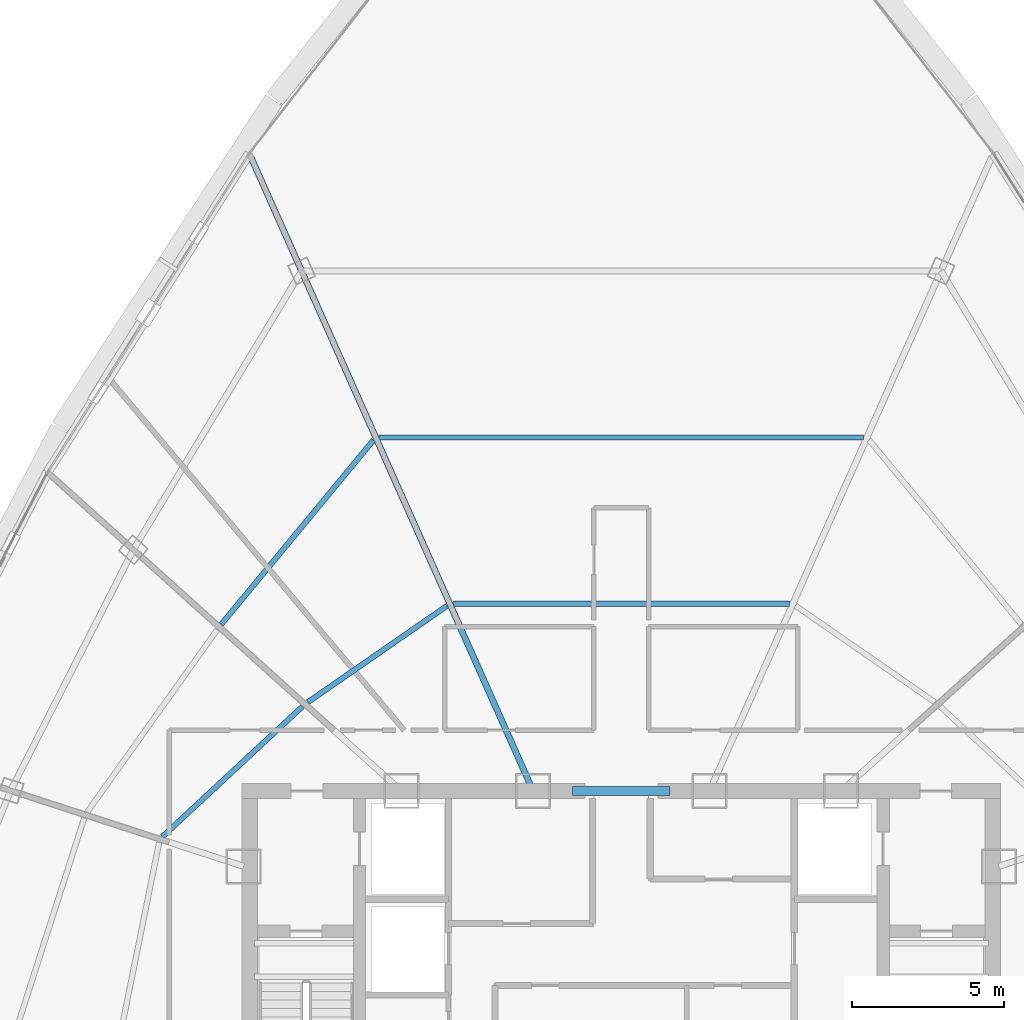
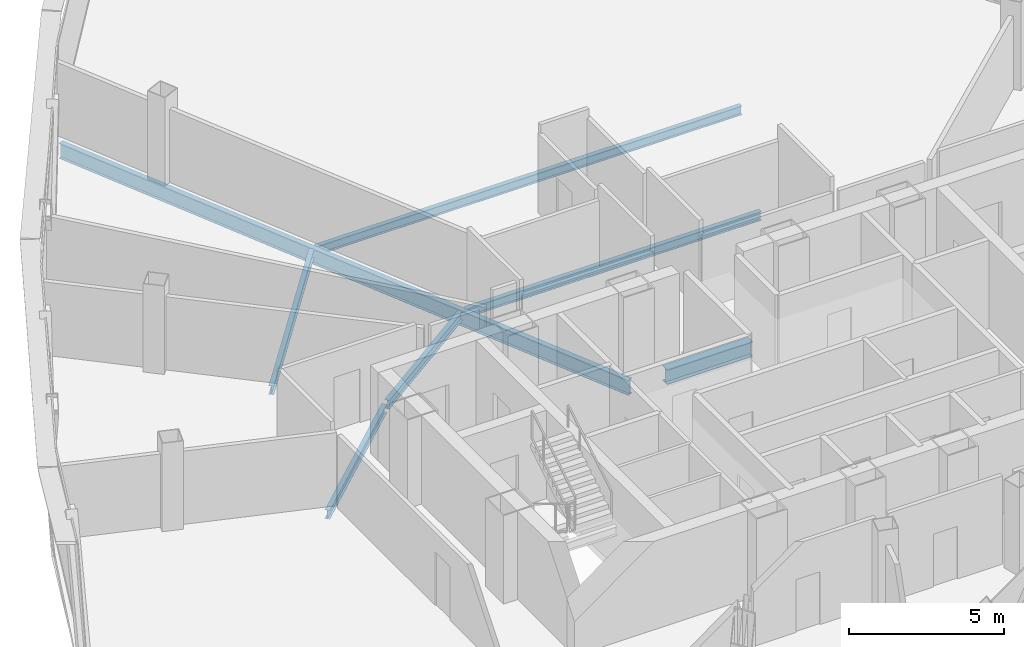
# One storey, part 11 of 33: 7 beams.
"""IFC4 building model written with IfcOpenShell, lengths in metres."""

from ifc_helpers import new_model, si_unit, direction, frame, origin, origin_2d, place, context, subcontext, project, spatial, i_section, extrude, source, transform, mapped, material, material_profile, profile_set, type_object, element, save


model = new_model("IFC4")

# Units and contexts
model_context = context("Model", 3, precision=1e-05, world=origin(), true_north=direction((0.0, 1.0)))
body_context = subcontext(model_context, "Body", "Model", "MODEL_VIEW")
ifc_project = project(units=[si_unit("LENGTHUNIT", "METRE"), si_unit("AREAUNIT", "SQUARE_METRE"), si_unit("VOLUMEUNIT", "CUBIC_METRE"), si_unit("PLANEANGLEUNIT", "RADIAN"), si_unit("MASSUNIT", "GRAM", prefix="KILO"), si_unit("THERMODYNAMICTEMPERATUREUNIT", "KELVIN"), si_unit("POWERUNIT", "WATT")], contexts=[model_context])

# Site, building, storey
site_placement = place(None, origin())
site = spatial("IfcSite", under=ifc_project, at=site_placement, CompositionType="ELEMENT")
building_placement = place(site_placement, origin())
building = spatial("IfcBuilding", under=site, at=building_placement, Name="Yunzhuo Pagoda Commons", CompositionType="ELEMENT")
storey_placement = place(building_placement, frame((0.0, 0.0, 329.260009765625)))
storey = spatial("IfcBuildingStorey", under=building, at=storey_placement, Name="L82", CompositionType="ELEMENT", Elevation=329.260009765625)

# Beams
ifc_material_1 = material(Name="Structural steel Q420B", Category="steel")
ifc_material_profile_1 = material_profile(ifc_material_1, i_section(OverallWidth=0.300048828125, OverallDepth=0.587890625, WebThickness=0.011962890625, FlangeThickness=0.02001953125, at=origin_2d()), Name="Structural steel Q420B")
ifc_profile_set_1 = profile_set([ifc_material_profile_1], Name="Structural steel Q420B")
beam_type_1 = type_object("IfcBeamType", Name="B-CPL Beam HM 588x300x12x20", PredefinedType="BEAM", material=ifc_profile_set_1)
shared_shape_1 = source(origin(), body_context, "Body", "SweptSolid", [
    extrude(i_section(OverallWidth=0.300048828125, OverallDepth=0.587890625, WebThickness=0.011962890625, FlangeThickness=0.02001953125, at=origin_2d()), origin(), (0.0, 0.0, 1.0), 3.2001953125),
])
beam_1_placement = place(storey_placement, frame((46.39990234375, 40.199951171875, -0.553955078125), z_axis=(1.0, 0.0, 0.0), x_axis=(0.0, 1.0, 0.0)))
element("IfcBeam", 1, at=beam_1_placement, inside=storey, type_object=beam_type_1, Name="L82 core coupling girder", PredefinedType="BEAM", context=body_context, shape_type="MappedRepresentation", body=[
    mapped(shared_shape_1, transform((0.0, 0.0, 0.0), scale=1.0)),
])
ifc_material_2 = material(Name="Structural steel Q355B", Category="steel")
ifc_material_profile_2 = material_profile(ifc_material_2, i_section(OverallWidth=0.199951171875, OverallDepth=0.60009765625, WebThickness=0.010986328125, FlangeThickness=0.01708984375, at=origin_2d()), Name="Structural steel Q355B")
ifc_profile_set_2 = profile_set([ifc_material_profile_2], Name="Structural steel Q355B")
beam_type_2 = type_object("IfcBeamType", Name="B-RG3 Beam HN 600x200x11x17", PredefinedType="BEAM", material=ifc_profile_set_2)
shared_shape_2 = source(origin(), body_context, "Body", "SweptSolid", [
    extrude(i_section(OverallWidth=0.199951171875, OverallDepth=0.60009765625, WebThickness=0.010986328125, FlangeThickness=0.01708984375, at=origin_2d()), origin(), (0.0, 0.0, 1.0), 22.76953125),
])
beam_2_placement = place(storey_placement, frame((35.8447265625, 61.0009765625, -0.56005859375), z_axis=(0.406737276471, -0.913545175637, 0.0), x_axis=(0.913545175637, 0.406737276471, 0.0)))
element("IfcBeam", 2, at=beam_2_placement, inside=storey, type_object=beam_type_2, Name="L82 radial floor girder F3C1", PredefinedType="BEAM", context=body_context, shape_type="MappedRepresentation", body=[
    mapped(shared_shape_2, transform((0.0, 0.0, 0.0), scale=1.0)),
])
ifc_material_profile_3 = material_profile(ifc_material_2, i_section(OverallWidth=0.175048828125, OverallDepth=0.35009765625, WebThickness=0.007080078125, FlangeThickness=0.010986328125, at=origin_2d()), Name="Structural steel Q355B")
ifc_profile_set_3 = profile_set([ifc_material_profile_3], Name="Structural steel Q355B")
beam_type_3 = type_object("IfcBeamType", Name="B-JS2 Joist HN 350x175x7x11", PredefinedType="JOIST", material=ifc_profile_set_3)
shared_shape_3 = source(origin(), body_context, "Body", "SweptSolid", [
    extrude(i_section(OverallWidth=0.175048828125, OverallDepth=0.35009765625, WebThickness=0.007080078125, FlangeThickness=0.010986328125, at=origin_2d()), origin(), (0.0, 0.0, 1.0), 6.277099609375),
])
beam_3_placement = place(storey_placement, frame((37.526611328125, 42.97607421875, -0.43505859375), z_axis=(-0.73244154109, -0.68082992655, 0.0), x_axis=(0.68082992655, -0.73244154109, 0.0)))
element("IfcBeam", 3, at=beam_3_placement, inside=storey, type_object=beam_type_3, Name="L82 composite ring joist 1.10", PredefinedType="JOIST", context=body_context, shape_type="MappedRepresentation", body=[
    mapped(shared_shape_3, transform((0.0, 0.0, 0.0), scale=1.0)),
])
shared_shape_4 = source(origin(), body_context, "Body", "SweptSolid", [
    extrude(i_section(OverallWidth=0.175048828125, OverallDepth=0.35009765625, WebThickness=0.007080078125, FlangeThickness=0.010986328125, at=origin_2d()), origin(), (0.0, 0.0, 1.0), 5.556640625),
])
beam_4_placement = place(storey_placement, frame((42.273681640625, 46.28369140625, -0.43505859375), z_axis=(-0.822084621883, -0.569365326011, 0.0), x_axis=(0.569365326011, -0.822084621883, 0.0)))
element("IfcBeam", 4, at=beam_4_placement, inside=storey, type_object=beam_type_3, Name="L82 composite ring joist 1.9", PredefinedType="JOIST", context=body_context, shape_type="MappedRepresentation", body=[
    mapped(shared_shape_4, transform((0.0, 0.0, 0.0), scale=1.0)),
])
shared_shape_5 = source(origin(), body_context, "Body", "SweptSolid", [
    extrude(i_section(OverallWidth=0.175048828125, OverallDepth=0.35009765625, WebThickness=0.007080078125, FlangeThickness=0.010986328125, at=origin_2d()), origin(), (0.0, 0.0, 1.0), 7.842529296875),
])
beam_5_placement = place(storey_placement, frame((39.861328125, 51.726318359375, -0.43505859375), z_axis=(-0.636899145749, -0.770947130577, 0.0), x_axis=(0.770947130577, -0.636899145749, 0.0)))
element("IfcBeam", 5, at=beam_5_placement, inside=storey, type_object=beam_type_3, Name="L82 composite ring joist 2.9", PredefinedType="JOIST", context=body_context, shape_type="MappedRepresentation", body=[
    mapped(shared_shape_5, transform((0.0, 0.0, 0.0), scale=1.0)),
])
shared_shape_6 = source(origin(), body_context, "Body", "SweptSolid", [
    extrude(i_section(OverallWidth=0.175048828125, OverallDepth=0.35009765625, WebThickness=0.007080078125, FlangeThickness=0.010986328125, at=origin_2d()), origin(), (0.0, 0.0, 1.0), 11.03369140625),
])
beam_6_placement = place(storey_placement, frame((53.516845703125, 46.34912109375, -0.43505859375), z_axis=(-1.0, 0.0, 0.0), x_axis=(0.0, -1.0, 0.0)))
element("IfcBeam", 6, at=beam_6_placement, inside=storey, type_object=beam_type_3, Name="L82 composite ring joist 1.8", PredefinedType="JOIST", context=body_context, shape_type="MappedRepresentation", body=[
    mapped(shared_shape_6, transform((0.0, 0.0, 0.0), scale=1.0)),
])
shared_shape_7 = source(origin(), body_context, "Body", "SweptSolid", [
    extrude(i_section(OverallWidth=0.175048828125, OverallDepth=0.35009765625, WebThickness=0.007080078125, FlangeThickness=0.010986328125, at=origin_2d()), origin(), (0.0, 0.0, 1.0), 15.900390625),
])
beam_7_placement = place(storey_placement, frame((55.9501953125, 51.81494140625, -0.43505859375), z_axis=(-1.0, 0.0, 0.0), x_axis=(0.0, -1.0, 0.0)))
element("IfcBeam", 7, at=beam_7_placement, inside=storey, type_object=beam_type_3, Name="L82 composite ring joist 2.8", PredefinedType="JOIST", context=body_context, shape_type="MappedRepresentation", body=[
    mapped(shared_shape_7, transform((0.0, 0.0, 0.0), scale=1.0)),
])

save(model, "model.ifc")
